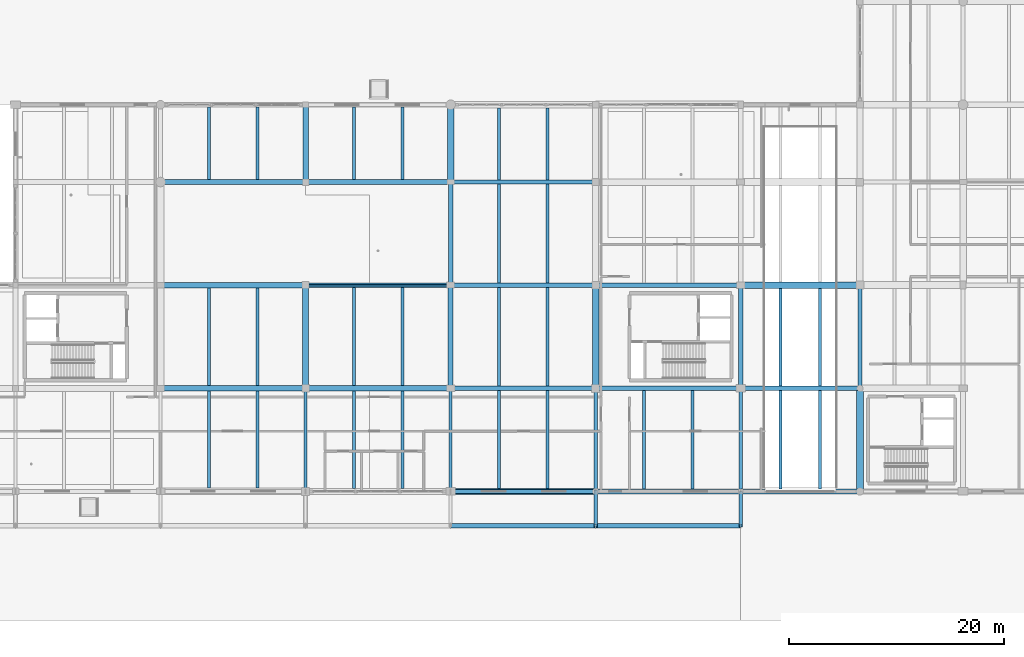
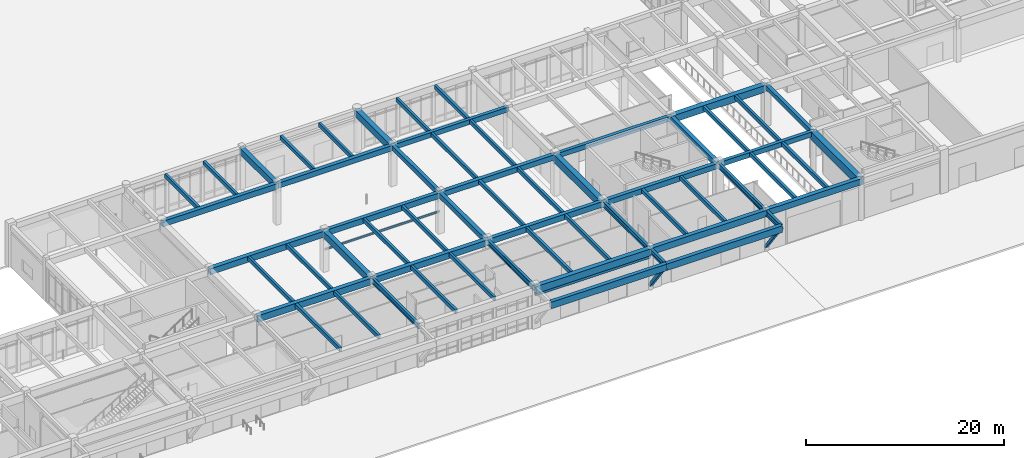
# One storey, part 19 of 138: 61 beams, 2 members.
"""IFC4 building model written with IfcOpenShell, lengths in metres."""

from ifc_helpers import new_model, si_unit, direction, frame, origin, origin_2d, place, context, subcontext, project, spatial, rectangle, hollow_rectangle, i_section, extrude, material, material_profile, profile_set, type_object, element, save


model = new_model("IFC4")

# Units and contexts
model_context = context("Model", 3, precision=1e-05, world=origin(), true_north=direction((0.0, 1.0)))
body_context = subcontext(model_context, "Body", "Model", "MODEL_VIEW")
ifc_project = project(units=[si_unit("LENGTHUNIT", "METRE"), si_unit("AREAUNIT", "SQUARE_METRE"), si_unit("VOLUMEUNIT", "CUBIC_METRE"), si_unit("PLANEANGLEUNIT", "RADIAN"), si_unit("MASSUNIT", "GRAM", prefix="KILO")], contexts=[model_context])

# Site, building, storey
site_placement = place(None, origin())
site = spatial("IfcSite", under=ifc_project, at=site_placement, CompositionType="ELEMENT")
building_placement = place(site_placement, origin())
building = spatial("IfcBuilding", under=site, at=building_placement, Name="Fikremerkos Civic Library", CompositionType="ELEMENT")
storey_placement = place(building_placement, origin())
storey = spatial("IfcBuildingStorey", under=building, at=storey_placement, Name="L00", CompositionType="ELEMENT", Elevation=0.0)

# Beams
ifc_material_1 = material(Name="Concrete C40/50", Category="concrete")
ifc_material_profile_1 = material_profile(ifc_material_1, rectangle(XDim=0.280029296875, YDim=0.47998046875, at=origin_2d()), Name="RC 280x480")
ifc_profile_set_1 = profile_set([ifc_material_profile_1], Name="Concrete C40/50")
beam_type_1 = type_object("IfcBeamType", Name="Floor joist JS-04 RC 280x480", PredefinedType="JOIST", material=ifc_profile_set_1)
for number, where, z_axis, x_axis, name in (
    (1, (64.199951171875, 12.300048828125, 4.840087890625), (0.0, 1.0, 0.0), (-1.0, 0.0, 0.0), "Floor joist JS-04 L00 #310"),
    (2, (68.699951171875, 12.300048828125, 4.840087890625), (0.0, 1.0, 0.0), (-1.0, 0.0, 0.0), "Floor joist JS-04 L00 #311"),
):
    element("IfcBeam", number, at=place(storey_placement, frame(where, z_axis=z_axis, x_axis=x_axis)), inside=storey, type_object=beam_type_1, Name=name, PredefinedType="JOIST", context=body_context, shape_type="SweptSolid", body=[
        extrude(rectangle(XDim=0.280029296875, YDim=0.47998046875, at=origin_2d()), origin(), (0.0, 0.0, 1.0), 9.050048828125),
    ])
for number, where, z_axis, x_axis, name in (
    (3, (64.199951171875, 21.85009765625, 4.840087890625), (0.0, 1.0, 0.0), (-1.0, 0.0, 0.0), "Floor joist JS-04 L00 #312"),
    (4, (68.699951171875, 21.85009765625, 4.840087890625), (0.0, 1.0, 0.0), (-1.0, 0.0, 0.0), "Floor joist JS-04 L00 #313"),
):
    element("IfcBeam", number, at=place(storey_placement, frame(where, z_axis=z_axis, x_axis=x_axis)), inside=storey, type_object=beam_type_1, Name=name, PredefinedType="JOIST", context=body_context, shape_type="SweptSolid", body=[
        extrude(rectangle(XDim=0.280029296875, YDim=0.47998046875, at=origin_2d()), origin(), (0.0, 0.0, 1.0), 9.099853515625),
    ])
for number, where, z_axis, x_axis, name in (
    (5, (64.199951171875, 41.02490234375, 4.860107421875), (0.0, 1.0, 0.0), (-1.0, 0.0, 0.0), "Floor joist JS-04 L00 #314"),
    (6, (68.699951171875, 41.02490234375, 4.860107421875), (0.0, 1.0, 0.0), (-1.0, 0.0, 0.0), "Floor joist JS-04 L00 #315"),
):
    element("IfcBeam", number, at=place(storey_placement, frame(where, z_axis=z_axis, x_axis=x_axis)), inside=storey, type_object=beam_type_1, Name=name, PredefinedType="JOIST", context=body_context, shape_type="SweptSolid", body=[
        extrude(rectangle(XDim=0.280029296875, YDim=0.47998046875, at=origin_2d()), origin(), (0.0, 0.0, 1.0), 6.75),
    ])
for number, where, z_axis, x_axis, name in (
    (7, (77.699951171875, 12.27490234375, 4.840087890625), (0.0, 1.0, 0.0), (-1.0, 0.0, 0.0), "Floor joist JS-04 L00 #319"),
    (8, (82.199951171875, 12.27490234375, 4.840087890625), (0.0, 1.0, 0.0), (-1.0, 0.0, 0.0), "Floor joist JS-04 L00 #320"),
):
    element("IfcBeam", number, at=place(storey_placement, frame(where, z_axis=z_axis, x_axis=x_axis)), inside=storey, type_object=beam_type_1, Name=name, PredefinedType="JOIST", context=body_context, shape_type="SweptSolid", body=[
        extrude(rectangle(XDim=0.280029296875, YDim=0.47998046875, at=origin_2d()), origin(), (0.0, 0.0, 1.0), 9.0751953125),
    ])
for number, where, z_axis, x_axis, name in (
    (9, (77.699951171875, 21.85009765625, 4.840087890625), (0.0, 1.0, 0.0), (-1.0, 0.0, 0.0), "Floor joist JS-04 L00 #321"),
    (10, (82.199951171875, 21.85009765625, 4.840087890625), (0.0, 1.0, 0.0), (-1.0, 0.0, 0.0), "Floor joist JS-04 L00 #322"),
):
    element("IfcBeam", number, at=place(storey_placement, frame(where, z_axis=z_axis, x_axis=x_axis)), inside=storey, type_object=beam_type_1, Name=name, PredefinedType="JOIST", context=body_context, shape_type="SweptSolid", body=[
        extrude(rectangle(XDim=0.280029296875, YDim=0.47998046875, at=origin_2d()), origin(), (0.0, 0.0, 1.0), 9.125),
    ])
for number, where, z_axis, x_axis, name in (
    (11, (77.699951171875, 41.02490234375, 4.860107421875), (0.0, 1.0, 0.0), (-1.0, 0.0, 0.0), "Floor joist JS-04 L00 #323"),
    (12, (82.199951171875, 41.02490234375, 4.860107421875), (0.0, 1.0, 0.0), (-1.0, 0.0, 0.0), "Floor joist JS-04 L00 #324"),
):
    element("IfcBeam", number, at=place(storey_placement, frame(where, z_axis=z_axis, x_axis=x_axis)), inside=storey, type_object=beam_type_1, Name=name, PredefinedType="JOIST", context=body_context, shape_type="SweptSolid", body=[
        extrude(rectangle(XDim=0.280029296875, YDim=0.47998046875, at=origin_2d()), origin(), (0.0, 0.0, 1.0), 6.775146484375),
    ])
for number, where, z_axis, x_axis, name in (
    (13, (91.199951171875, 12.27490234375, 4.840087890625), (0.0, 1.0, 0.0), (-1.0, 0.0, 0.0), "Floor joist JS-04 L00 #325"),
    (14, (95.699951171875, 12.27490234375, 4.840087890625), (0.0, 1.0, 0.0), (-1.0, 0.0, 0.0), "Floor joist JS-04 L00 #326"),
):
    element("IfcBeam", number, at=place(storey_placement, frame(where, z_axis=z_axis, x_axis=x_axis)), inside=storey, type_object=beam_type_1, Name=name, PredefinedType="JOIST", context=body_context, shape_type="SweptSolid", body=[
        extrude(rectangle(XDim=0.280029296875, YDim=0.47998046875, at=origin_2d()), origin(), (0.0, 0.0, 1.0), 9.10009765625),
    ])
for number, where, z_axis, x_axis, name in (
    (15, (91.199951171875, 21.824951171875, 4.840087890625), (0.0, 1.0, 0.0), (-1.0, 0.0, 0.0), "Floor joist JS-04 L00 #327"),
    (16, (95.699951171875, 21.824951171875, 4.840087890625), (0.0, 1.0, 0.0), (-1.0, 0.0, 0.0), "Floor joist JS-04 L00 #328"),
):
    element("IfcBeam", number, at=place(storey_placement, frame(where, z_axis=z_axis, x_axis=x_axis)), inside=storey, type_object=beam_type_1, Name=name, PredefinedType="JOIST", context=body_context, shape_type="SweptSolid", body=[
        extrude(rectangle(XDim=0.280029296875, YDim=0.47998046875, at=origin_2d()), origin(), (0.0, 0.0, 1.0), 9.150146484375),
    ])
for number, where, z_axis, x_axis, name in (
    (17, (91.199951171875, 31.425048828125, 4.860107421875), (0.0, 1.0, 0.0), (-1.0, 0.0, 0.0), "Floor joist JS-04 L00 #329"),
    (18, (95.699951171875, 31.425048828125, 4.860107421875), (0.0, 1.0, 0.0), (-1.0, 0.0, 0.0), "Floor joist JS-04 L00 #330"),
):
    element("IfcBeam", number, at=place(storey_placement, frame(where, z_axis=z_axis, x_axis=x_axis)), inside=storey, type_object=beam_type_1, Name=name, PredefinedType="JOIST", context=body_context, shape_type="SweptSolid", body=[
        extrude(rectangle(XDim=0.280029296875, YDim=0.47998046875, at=origin_2d()), origin(), (0.0, 0.0, 1.0), 9.175048828125),
    ])
for number, where, z_axis, x_axis, name in (
    (19, (91.199951171875, 41.0, 4.860107421875), (0.0, 1.0, 0.0), (-1.0, 0.0, 0.0), "Floor joist JS-04 L00 #331"),
    (20, (95.699951171875, 41.0, 4.860107421875), (0.0, 1.0, 0.0), (-1.0, 0.0, 0.0), "Floor joist JS-04 L00 #332"),
):
    element("IfcBeam", number, at=place(storey_placement, frame(where, z_axis=z_axis, x_axis=x_axis)), inside=storey, type_object=beam_type_1, Name=name, PredefinedType="JOIST", context=body_context, shape_type="SweptSolid", body=[
        extrude(rectangle(XDim=0.280029296875, YDim=0.47998046875, at=origin_2d()), origin(), (0.0, 0.0, 1.0), 6.699951171875),
    ])
for number, where, z_axis, x_axis, name in (
    (21, (104.699951171875, 12.25, 4.840087890625), (0.0, 1.0, 0.0), (-1.0, 0.0, 0.0), "Floor joist JS-04 L00 #336"),
    (22, (109.199951171875, 12.25, 4.840087890625), (0.0, 1.0, 0.0), (-1.0, 0.0, 0.0), "Floor joist JS-04 L00 #337"),
):
    element("IfcBeam", number, at=place(storey_placement, frame(where, z_axis=z_axis, x_axis=x_axis)), inside=storey, type_object=beam_type_1, Name=name, PredefinedType="JOIST", context=body_context, shape_type="SweptSolid", body=[
        extrude(rectangle(XDim=0.280029296875, YDim=0.47998046875, at=origin_2d()), origin(), (0.0, 0.0, 1.0), 9.125),
    ])
for number, where, z_axis, x_axis, name in (
    (23, (117.39990234375, 12.25, 4.860107421875), (0.0, 1.0, 0.0), (-1.0, 0.0, 0.0), "Floor joist JS-04 L00 #345"),
    (24, (121.10009765625, 12.25, 4.860107421875), (0.0, 1.0, 0.0), (-1.0, 0.0, 0.0), "Floor joist JS-04 L00 #346"),
):
    element("IfcBeam", number, at=place(storey_placement, frame(where, z_axis=z_axis, x_axis=x_axis)), inside=storey, type_object=beam_type_1, Name=name, PredefinedType="JOIST", context=body_context, shape_type="SweptSolid", body=[
        extrude(rectangle(XDim=0.280029296875, YDim=0.47998046875, at=origin_2d()), origin(), (0.0, 0.0, 1.0), 9.14990234375),
    ])
for number, where, z_axis, x_axis, name in (
    (25, (117.39990234375, 21.800048828125, 4.860107421875), (0.0, 1.0, 0.0), (-1.0, 0.0, 0.0), "Floor joist JS-04 L00 #347"),
    (26, (121.10009765625, 21.800048828125, 4.860107421875), (0.0, 1.0, 0.0), (-1.0, 0.0, 0.0), "Floor joist JS-04 L00 #348"),
):
    element("IfcBeam", number, at=place(storey_placement, frame(where, z_axis=z_axis, x_axis=x_axis)), inside=storey, type_object=beam_type_1, Name=name, PredefinedType="JOIST", context=body_context, shape_type="SweptSolid", body=[
        extrude(rectangle(XDim=0.280029296875, YDim=0.47998046875, at=origin_2d()), origin(), (0.0, 0.0, 1.0), 9.099853515625),
    ])
ifc_material_profile_2 = material_profile(ifc_material_1, rectangle(XDim=0.35009765625, YDim=0.300048828125, at=origin_2d()), Name="RC 350x300")
ifc_profile_set_2 = profile_set([ifc_material_profile_2], Name="Concrete C40/50")
beam_type_2 = type_object("IfcBeamType", Name="Opening lintel LNT-01 RC 350x300", PredefinedType="LINTEL", material=ifc_profile_set_2)
beam_1_placement = place(storey_placement, frame((100.199951171875, 12.0, 4.0), z_axis=(-1.0, 0.0, 0.0), x_axis=(0.0, -1.0, 0.0)))
element("IfcBeam", 27, at=beam_1_placement, inside=storey, type_object=beam_type_2, Name="Exterior doorway head lintel LNT-01 #168", PredefinedType="LINTEL", context=body_context, shape_type="SweptSolid", body=[
    extrude(rectangle(XDim=0.35009765625, YDim=0.300048828125, at=origin_2d()), origin(), (0.0, 0.0, 1.0), 13.5),
])
ifc_material_2 = material(Name="Steel S355", Category="steel")
ifc_material_profile_3 = material_profile(ifc_material_2, i_section(OverallWidth=0.1201171875, OverallDepth=0.239990234375, WebThickness=0.006103515625, FlangeThickness=0.009765625, FilletRadius=0.014892578125, at=origin_2d()), Name="IPE 240")
ifc_profile_set_3 = profile_set([ifc_material_profile_3], Name="Steel S355")
beam_type_3 = type_object("IfcBeamType", Name="Opening lintel LNT-04 IPE 240", PredefinedType="LINTEL", material=ifc_profile_set_3)
beam_2_placement = place(storey_placement, frame((73.199951171875, 31.199951171875, 2.6201171875), z_axis=(1.0, 0.0, 0.0), x_axis=(0.0, 1.0, 0.0)))
element("IfcBeam", 28, at=beam_2_placement, inside=storey, type_object=beam_type_3, Name="Interior portal lintel LNT-04 L00 #6", PredefinedType="LINTEL", context=body_context, shape_type="SweptSolid", body=[
    extrude(i_section(OverallWidth=0.1201171875, OverallDepth=0.239990234375, WebThickness=0.006103515625, FlangeThickness=0.009765625, FilletRadius=0.014892578125, at=origin_2d()), origin(), (0.0, 0.0, 1.0), 13.5),
])
ifc_material_profile_4 = material_profile(ifc_material_1, rectangle(XDim=0.60009765625, YDim=0.949951171875, at=origin_2d()), Name="RC 600x950")
ifc_profile_set_4 = profile_set([ifc_material_profile_4], Name="Concrete C40/50")
beam_type_4 = type_object("IfcBeamType", Name="Primary girder BM-01 RC 600x950", PredefinedType="BEAM", material=ifc_profile_set_4)
beam_3_placement = place(storey_placement, frame((100.199951171875, 21.60009765625, 4.60498046875), z_axis=(0.0, 1.0, 0.0), x_axis=(-1.0, 0.0, 0.0)))
element("IfcBeam", 29, at=beam_3_placement, inside=storey, type_object=beam_type_4, Name="Primary girder BM-01 L00 grid 9", PredefinedType="BEAM", context=body_context, shape_type="SweptSolid", body=[
    extrude(rectangle(XDim=0.60009765625, YDim=0.949951171875, at=origin_2d()), origin(), (0.0, 0.0, 1.0), 9.599853515625),
])
ifc_material_profile_5 = material_profile(ifc_material_1, rectangle(XDim=0.550048828125, YDim=0.85009765625, at=origin_2d()), Name="RC 550x850")
ifc_profile_set_5 = profile_set([ifc_material_profile_5], Name="Concrete C40/50")
beam_type_5 = type_object("IfcBeamType", Name="Primary girder BM-03 RC 550x850", PredefinedType="BEAM", material=ifc_profile_set_5)
beam_4_placement = place(storey_placement, frame((86.699951171875, 12.0, 4.655029296875), z_axis=(1.0, 0.0, 0.0), x_axis=(0.0, 1.0, 0.0)))
element("IfcBeam", 30, at=beam_4_placement, inside=storey, type_object=beam_type_5, Name="Primary girder BM-03 L00 grid E", PredefinedType="BEAM", context=body_context, shape_type="SweptSolid", body=[
    extrude(rectangle(XDim=0.550048828125, YDim=0.85009765625, at=origin_2d()), origin(), (0.0, 0.0, 1.0), 13.5),
])
beam_5_placement = place(storey_placement, frame((73.199951171875, 21.60009765625, 4.655029296875), z_axis=(0.0, 1.0, 0.0), x_axis=(-1.0, 0.0, 0.0)))
element("IfcBeam", 31, at=beam_5_placement, inside=storey, type_object=beam_type_5, Name="Primary girder BM-03 L00 grid 7", PredefinedType="BEAM", context=body_context, shape_type="SweptSolid", body=[
    extrude(rectangle(XDim=0.550048828125, YDim=0.85009765625, at=origin_2d()), origin(), (0.0, 0.0, 1.0), 9.599853515625),
])
ifc_material_profile_6 = material_profile(ifc_material_1, rectangle(XDim=0.5, YDim=0.800048828125, at=origin_2d()), Name="RC 500x800")
ifc_profile_set_6 = profile_set([ifc_material_profile_6], Name="Concrete C40/50")
beam_type_6 = type_object("IfcBeamType", Name="Primary girder BM-04 RC 500x800", PredefinedType="BEAM", material=ifc_profile_set_6)
for number, where, z_axis, x_axis, name in (
    (32, (100.199951171875, 12.0, 4.679931640625), (1.0, 0.0, 0.0), (0.0, 1.0, 0.0), "Primary girder BM-04 L00 grid E"),
    (33, (59.699951171875, 21.60009765625, 4.679931640625), (1.0, 0.0, 0.0), (0.0, 1.0, 0.0), "Primary girder BM-04 L00 grid F"),
):
    element("IfcBeam", number, at=place(storey_placement, frame(where, z_axis=z_axis, x_axis=x_axis)), inside=storey, type_object=beam_type_6, Name=name, PredefinedType="BEAM", context=body_context, shape_type="SweptSolid", body=[
        extrude(rectangle(XDim=0.5, YDim=0.800048828125, at=origin_2d()), origin(), (0.0, 0.0, 1.0), 13.5),
    ])
beam_6_placement = place(storey_placement, frame((73.199951171875, 40.800048828125, 4.699951171875), z_axis=(0.0, 1.0, 0.0), x_axis=(-1.0, 0.0, 0.0)))
element("IfcBeam", 34, at=beam_6_placement, inside=storey, type_object=beam_type_6, Name="Primary girder BM-04 L00 grid 7", PredefinedType="BEAM", context=body_context, shape_type="SweptSolid", body=[
    extrude(rectangle(XDim=0.5, YDim=0.800048828125, at=origin_2d()), origin(), (0.0, 0.0, 1.0), 7.199951171875),
])
ifc_material_profile_7 = material_profile(ifc_material_1, rectangle(XDim=0.5, YDim=0.75, at=origin_2d()), Name="RC 500x750")
ifc_profile_set_7 = profile_set([ifc_material_profile_7], Name="Concrete C40/50")
beam_type_7 = type_object("IfcBeamType", Name="Primary girder BM-05 RC 500x750", PredefinedType="BEAM", material=ifc_profile_set_7)
beam_7_placement = place(storey_placement, frame((113.699951171875, 12.0, 4.72509765625), z_axis=(1.0, 0.0, 0.0), x_axis=(0.0, 1.0, 0.0)))
element("IfcBeam", 35, at=beam_7_placement, inside=storey, type_object=beam_type_7, Name="Primary girder BM-05 L00 grid E", PredefinedType="BEAM", context=body_context, shape_type="SweptSolid", body=[
    extrude(rectangle(XDim=0.5, YDim=0.75, at=origin_2d()), origin(), (0.0, 0.0, 1.0), 11.10009765625),
])
for number, where, z_axis, x_axis, name in (
    (36, (73.199951171875, 21.60009765625, 4.705078125), (1.0, 0.0, 0.0), (0.0, 1.0, 0.0), "Primary girder BM-05 L00 grid F"),
    (37, (59.699951171875, 31.199951171875, 4.705078125), (1.0, 0.0, 0.0), (0.0, 1.0, 0.0), "Primary girder BM-05 L00 grid G"),
):
    element("IfcBeam", number, at=place(storey_placement, frame(where, z_axis=z_axis, x_axis=x_axis)), inside=storey, type_object=beam_type_7, Name=name, PredefinedType="BEAM", context=body_context, shape_type="SweptSolid", body=[
        extrude(rectangle(XDim=0.5, YDim=0.75, at=origin_2d()), origin(), (0.0, 0.0, 1.0), 13.5),
    ])
ifc_material_profile_8 = material_profile(ifc_material_1, rectangle(XDim=0.449951171875, YDim=0.699951171875, at=origin_2d()), Name="RC 450x700")
ifc_profile_set_8 = profile_set([ifc_material_profile_8], Name="Concrete C40/50")
beam_type_8 = type_object("IfcBeamType", Name="Primary girder BM-06 RC 450x700", PredefinedType="BEAM", material=ifc_profile_set_8)
for number, where, z_axis, x_axis, name in (
    (38, (86.699951171875, 21.60009765625, 4.72998046875), (1.0, 0.0, 0.0), (0.0, 1.0, 0.0), "Primary girder BM-06 L00 grid F"),
    (39, (73.199951171875, 31.199951171875, 4.72998046875), (1.0, 0.0, 0.0), (0.0, 1.0, 0.0), "Primary girder BM-06 L00 grid G"),
    (40, (59.699951171875, 40.800048828125, 4.75), (1.0, 0.0, 0.0), (0.0, 1.0, 0.0), "Primary girder BM-06 L00 grid H"),
):
    element("IfcBeam", number, at=place(storey_placement, frame(where, z_axis=z_axis, x_axis=x_axis)), inside=storey, type_object=beam_type_8, Name=name, PredefinedType="BEAM", context=body_context, shape_type="SweptSolid", body=[
        extrude(rectangle(XDim=0.449951171875, YDim=0.699951171875, at=origin_2d()), origin(), (0.0, 0.0, 1.0), 13.5),
    ])
beam_8_placement = place(storey_placement, frame((113.699951171875, 21.60009765625, 4.72998046875), z_axis=(0.0, 1.0, 0.0), x_axis=(-1.0, 0.0, 0.0)))
element("IfcBeam", 41, at=beam_8_placement, inside=storey, type_object=beam_type_8, Name="Primary girder BM-06 L00 grid 10", PredefinedType="BEAM", context=body_context, shape_type="SweptSolid", body=[
    extrude(rectangle(XDim=0.449951171875, YDim=0.699951171875, at=origin_2d()), origin(), (0.0, 0.0, 1.0), 9.599853515625),
])
ifc_material_profile_9 = material_profile(ifc_material_1, rectangle(XDim=0.449951171875, YDim=0.64990234375, at=origin_2d()), Name="RC 450x650")
ifc_profile_set_9 = profile_set([ifc_material_profile_9], Name="Concrete C40/50")
beam_type_9 = type_object("IfcBeamType", Name="Primary girder BM-07 RC 450x650", PredefinedType="BEAM", material=ifc_profile_set_9)
for number, where, z_axis, x_axis, name in (
    (42, (100.199951171875, 21.60009765625, 4.7548828125), (1.0, 0.0, 0.0), (0.0, 1.0, 0.0), "Primary girder BM-07 L00 grid F"),
    (43, (86.699951171875, 31.199951171875, 4.7548828125), (1.0, 0.0, 0.0), (0.0, 1.0, 0.0), "Primary girder BM-07 L00 grid G"),
    (44, (73.199951171875, 40.800048828125, 4.77490234375), (1.0, 0.0, 0.0), (0.0, 1.0, 0.0), "Primary girder BM-07 L00 grid H"),
):
    element("IfcBeam", number, at=place(storey_placement, frame(where, z_axis=z_axis, x_axis=x_axis)), inside=storey, type_object=beam_type_9, Name=name, PredefinedType="BEAM", context=body_context, shape_type="SweptSolid", body=[
        extrude(rectangle(XDim=0.449951171875, YDim=0.64990234375, at=origin_2d()), origin(), (0.0, 0.0, 1.0), 13.5),
    ])
beam_9_placement = place(storey_placement, frame((86.699951171875, 21.60009765625, 4.7548828125), z_axis=(0.0, 1.0, 0.0), x_axis=(-1.0, 0.0, 0.0)))
element("IfcBeam", 45, at=beam_9_placement, inside=storey, type_object=beam_type_9, Name="Primary girder BM-07 L00 grid 8", PredefinedType="BEAM", context=body_context, shape_type="SweptSolid", body=[
    extrude(rectangle(XDim=0.449951171875, YDim=0.64990234375, at=origin_2d()), origin(), (0.0, 0.0, 1.0), 9.599853515625),
])
ifc_material_profile_10 = material_profile(ifc_material_1, rectangle(XDim=0.39990234375, YDim=0.60009765625, at=origin_2d()), Name="RC 400x600")
ifc_profile_set_10 = profile_set([ifc_material_profile_10], Name="Concrete C40/50")
beam_type_10 = type_object("IfcBeamType", Name="Primary girder BM-08 RC 400x600", PredefinedType="BEAM", material=ifc_profile_set_10)
beam_10_placement = place(storey_placement, frame((113.699951171875, 21.60009765625, 4.800048828125), z_axis=(1.0, 0.0, 0.0), x_axis=(0.0, 1.0, 0.0)))
element("IfcBeam", 46, at=beam_10_placement, inside=storey, type_object=beam_type_10, Name="Primary girder BM-08 L00 grid F", PredefinedType="BEAM", context=body_context, shape_type="SweptSolid", body=[
    extrude(rectangle(XDim=0.39990234375, YDim=0.60009765625, at=origin_2d()), origin(), (0.0, 0.0, 1.0), 11.10009765625),
])
for number, where, z_axis, x_axis, name in (
    (47, (100.199951171875, 31.199951171875, 4.780029296875), (1.0, 0.0, 0.0), (0.0, 1.0, 0.0), "Primary girder BM-08 L00 grid G"),
    (48, (86.699951171875, 40.800048828125, 4.800048828125), (1.0, 0.0, 0.0), (0.0, 1.0, 0.0), "Primary girder BM-08 L00 grid H"),
):
    element("IfcBeam", number, at=place(storey_placement, frame(where, z_axis=z_axis, x_axis=x_axis)), inside=storey, type_object=beam_type_10, Name=name, PredefinedType="BEAM", context=body_context, shape_type="SweptSolid", body=[
        extrude(rectangle(XDim=0.39990234375, YDim=0.60009765625, at=origin_2d()), origin(), (0.0, 0.0, 1.0), 13.5),
    ])
beam_11_placement = place(storey_placement, frame((86.699951171875, 31.199951171875, 4.800048828125), z_axis=(0.0, 1.0, 0.0), x_axis=(-1.0, 0.0, 0.0)))
element("IfcBeam", 49, at=beam_11_placement, inside=storey, type_object=beam_type_10, Name="Primary girder BM-08 L00 grid 8", PredefinedType="BEAM", context=body_context, shape_type="SweptSolid", body=[
    extrude(rectangle(XDim=0.39990234375, YDim=0.60009765625, at=origin_2d()), origin(), (0.0, 0.0, 1.0), 9.60009765625),
])
ifc_material_profile_11 = material_profile(ifc_material_2, i_section(OverallWidth=0.300048828125, OverallDepth=0.64990234375, WebThickness=0.01611328125, FlangeThickness=0.031005859375, FilletRadius=0.027099609375, at=origin_2d()), Name="HEB 650")
ifc_profile_set_11 = profile_set([ifc_material_profile_11], Name="Steel S355")
beam_type_11 = type_object("IfcBeamType", Name="Primary girder BM-12 HEB 650", PredefinedType="BEAM", material=ifc_profile_set_11)
for number, where, z_axis, x_axis, name in (
    (50, (73.199951171875, 12.0, 4.7548828125), (0.0, 1.0, 0.0), (-1.0, 0.0, 0.0), "Primary girder BM-12 L00 grid 7"),
    (51, (86.699951171875, 12.0, 4.7548828125), (0.0, 1.0, 0.0), (-1.0, 0.0, 0.0), "Primary girder BM-12 L00 grid 8"),
    (52, (100.199951171875, 12.0, 4.7548828125), (0.0, 1.0, 0.0), (-1.0, 0.0, 0.0), "Primary girder BM-12 L00 grid 9"),
    (53, (113.699951171875, 12.0, 4.7548828125), (0.0, 1.0, 0.0), (-1.0, 0.0, 0.0), "Primary girder BM-12 L00 grid 10"),
):
    element("IfcBeam", number, at=place(storey_placement, frame(where, z_axis=z_axis, x_axis=x_axis)), inside=storey, type_object=beam_type_11, Name=name, PredefinedType="BEAM", context=body_context, shape_type="SweptSolid", body=[
        extrude(i_section(OverallWidth=0.300048828125, OverallDepth=0.64990234375, WebThickness=0.01611328125, FlangeThickness=0.031005859375, FilletRadius=0.027099609375, at=origin_2d()), origin(), (0.0, 0.0, 1.0), 9.60009765625),
    ])
for number, where, z_axis, x_axis, name in (
    (54, (100.199951171875, 12.0, 4.7548828125), (0.0, -1.0, 0.0), (1.0, 0.0, 0.0), "Cantilever girder BM-12 L00 X=100.2"),
    (55, (113.699951171875, 12.0, 4.7548828125), (0.0, -1.0, 0.0), (1.0, 0.0, 0.0), "Cantilever girder BM-12 L00 X=113.7"),
):
    element("IfcBeam", number, at=place(storey_placement, frame(where, z_axis=z_axis, x_axis=x_axis)), inside=storey, type_object=beam_type_11, Name=name, PredefinedType="BEAM", context=body_context, shape_type="SweptSolid", body=[
        extrude(i_section(OverallWidth=0.300048828125, OverallDepth=0.64990234375, WebThickness=0.01611328125, FlangeThickness=0.031005859375, FilletRadius=0.027099609375, at=origin_2d()), origin(), (0.0, 0.0, 1.0), 3.199951171875),
    ])
ifc_material_profile_12 = material_profile(ifc_material_1, rectangle(XDim=0.60009765625, YDim=0.85009765625, at=origin_2d()), Name="RC 600x850")
ifc_profile_set_12 = profile_set([ifc_material_profile_12], Name="Concrete C40/50")
beam_type_12 = type_object("IfcBeamType", Name="Primary girder BM-24 RC 600x850", PredefinedType="BEAM", material=ifc_profile_set_12)
beam_12_placement = place(storey_placement, frame((113.699951171875, 31.199951171875, 4.675048828125), z_axis=(1.0, 0.0, 0.0), x_axis=(0.0, 1.0, 0.0)))
element("IfcBeam", 56, at=beam_12_placement, inside=storey, type_object=beam_type_12, Name="Primary girder BM-24 L00 grid G", PredefinedType="BEAM", context=body_context, shape_type="SweptSolid", body=[
    extrude(rectangle(XDim=0.60009765625, YDim=0.85009765625, at=origin_2d()), origin(), (0.0, 0.0, 1.0), 11.10009765625),
])
beam_13_placement = place(storey_placement, frame((86.699951171875, 40.800048828125, 4.675048828125), z_axis=(0.0, 1.0, 0.0), x_axis=(-1.0, 0.0, 0.0)))
element("IfcBeam", 57, at=beam_13_placement, inside=storey, type_object=beam_type_12, Name="Primary girder BM-24 L00 grid 8", PredefinedType="BEAM", context=body_context, shape_type="SweptSolid", body=[
    extrude(rectangle(XDim=0.60009765625, YDim=0.85009765625, at=origin_2d()), origin(), (0.0, 0.0, 1.0), 7.199951171875),
])
ifc_material_3 = material(Name="Concrete C45/55", Category="concrete")
ifc_material_profile_13 = material_profile(ifc_material_3, rectangle(XDim=0.64990234375, YDim=1.0, at=origin_2d()), Name="RC 650x1000")
ifc_profile_set_13 = profile_set([ifc_material_profile_13], Name="Concrete C45/55")
beam_type_13 = type_object("IfcBeamType", Name="Primary girder BM-25 RC 650x1000", PredefinedType="BEAM", material=ifc_profile_set_13)
beam_14_placement = place(storey_placement, frame((124.800048828125, 12.0, 4.60009765625), z_axis=(0.0, 1.0, 0.0), x_axis=(-1.0, 0.0, 0.0)))
element("IfcBeam", 58, at=beam_14_placement, inside=storey, type_object=beam_type_13, Name="Primary girder BM-25 L00 grid 11", PredefinedType="BEAM", context=body_context, shape_type="SweptSolid", body=[
    extrude(rectangle(XDim=0.64990234375, YDim=1.0, at=origin_2d()), origin(), (0.0, 0.0, 1.0), 9.60009765625),
])
ifc_material_profile_14 = material_profile(ifc_material_1, rectangle(XDim=0.39990234375, YDim=0.550048828125, at=origin_2d()), Name="RC 400x550")
ifc_profile_set_14 = profile_set([ifc_material_profile_14], Name="Concrete C40/50")
beam_type_14 = type_object("IfcBeamType", Name="Primary girder BM-26 RC 400x550", PredefinedType="BEAM", material=ifc_profile_set_14)
beam_15_placement = place(storey_placement, frame((124.800048828125, 21.60009765625, 4.824951171875), z_axis=(0.0, 1.0, 0.0), x_axis=(-1.0, 0.0, 0.0)))
element("IfcBeam", 59, at=beam_15_placement, inside=storey, type_object=beam_type_14, Name="Primary girder BM-26 L00 grid 11", PredefinedType="BEAM", context=body_context, shape_type="SweptSolid", body=[
    extrude(rectangle(XDim=0.39990234375, YDim=0.550048828125, at=origin_2d()), origin(), (0.0, 0.0, 1.0), 9.599853515625),
])

# Members
ifc_material_profile_15 = material_profile(ifc_material_2, hollow_rectangle(XDim=0.35009765625, YDim=0.35009765625, WallThickness=0.01611328125, at=origin_2d()), Name="SHS 350x350x16")
ifc_profile_set_15 = profile_set([ifc_material_profile_15], Name="Steel S355")
member_type_1 = type_object("IfcMemberType", Name="Raking strut STR-01 SHS 350x350x16", PredefinedType="STRUT", material=ifc_profile_set_15)
member_1_placement = place(storey_placement, frame((100.199951171875, 12.0, 0.39990234375), z_axis=(0.0, -0.592121340172, 0.805848818646), x_axis=(1.0, 0.0, 0.0)))
element("IfcMember", 60, at=member_1_placement, inside=storey, type_object=member_type_1, Name="Raking cantilever strut STR-01 L00 X=100.2", PredefinedType="STRUT", context=body_context, shape_type="SweptSolid", body=[
    extrude(hollow_rectangle(XDim=0.35009765625, YDim=0.35009765625, WallThickness=0.01611328125, at=origin_2d()), origin(), (0.0, 0.0, 1.0), 5.404296875),
])
ifc_material_profile_16 = material_profile(ifc_material_2, hollow_rectangle(XDim=0.300048828125, YDim=0.300048828125, WallThickness=0.01611328125, at=origin_2d()), Name="SHS 300x300x16")
ifc_profile_set_16 = profile_set([ifc_material_profile_16], Name="Steel S355")
member_type_2 = type_object("IfcMemberType", Name="Raking strut STR-02 SHS 300x300x16", PredefinedType="STRUT", material=ifc_profile_set_16)
member_2_placement = place(storey_placement, frame((113.699951171875, 12.0, 0.39990234375), z_axis=(0.0, -0.592121340172, 0.805848818646), x_axis=(1.0, 0.0, 0.0)))
element("IfcMember", 61, at=member_2_placement, inside=storey, type_object=member_type_2, Name="Raking cantilever strut STR-02 L00 X=113.7", PredefinedType="STRUT", context=body_context, shape_type="SweptSolid", body=[
    extrude(hollow_rectangle(XDim=0.300048828125, YDim=0.300048828125, WallThickness=0.01611328125, at=origin_2d()), origin(), (0.0, 0.0, 1.0), 5.404296875),
])

# Beams
ifc_material_profile_17 = material_profile(ifc_material_1, rectangle(XDim=0.449951171875, YDim=0.820068359375, at=origin_2d()), Name="RC 450x820")
ifc_profile_set_17 = profile_set([ifc_material_profile_17], Name="Concrete C40/50")
beam_type_15 = type_object("IfcBeamType", Name="Spandrel edge beam SPB-02 RC 450x820", PredefinedType="SPANDREL", material=ifc_profile_set_17)
for number, where, z_axis, x_axis, name in (
    (62, (86.699951171875, 8.800048828125, 4.669921875), (1.0, 0.0, 0.0), (0.0, 1.0, 0.0), "Spandrel edge beam SPB-02 L00 Y=8.8 bay 6"),
    (63, (100.199951171875, 8.800048828125, 4.669921875), (1.0, 0.0, 0.0), (0.0, 1.0, 0.0), "Spandrel edge beam SPB-02 L00 Y=8.8 bay 7"),
):
    element("IfcBeam", number, at=place(storey_placement, frame(where, z_axis=z_axis, x_axis=x_axis)), inside=storey, type_object=beam_type_15, Name=name, PredefinedType="SPANDREL", context=body_context, shape_type="SweptSolid", body=[
        extrude(rectangle(XDim=0.449951171875, YDim=0.820068359375, at=origin_2d()), origin(), (0.0, 0.0, 1.0), 13.5),
    ])

save(model, "model.ifc")
